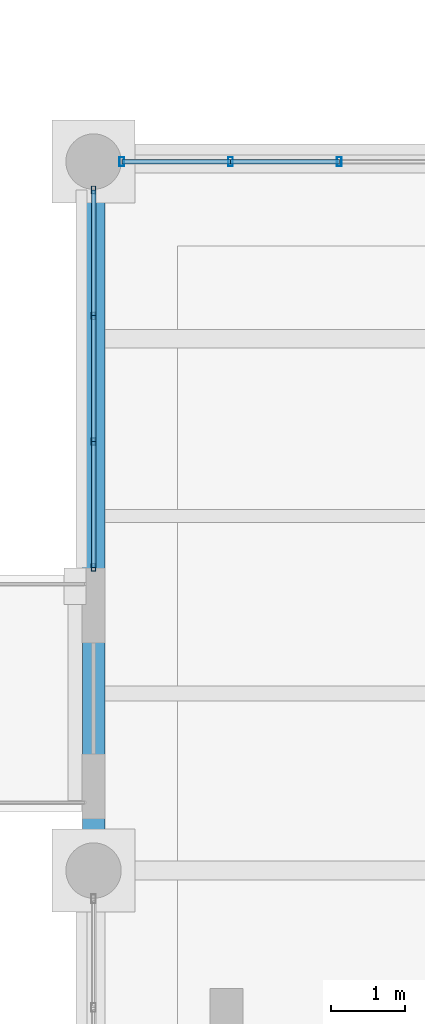
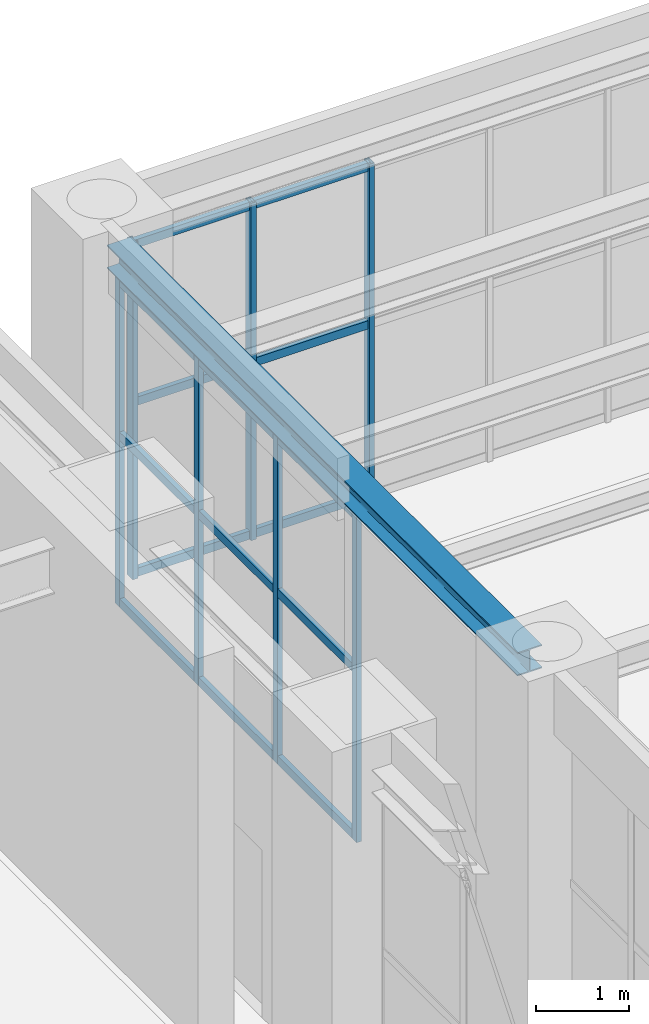
# One storey, part 64 of 174: 22 members, 1 beam, 2 elements without a shape of their own.
"""IFC4 building model written with IfcOpenShell, lengths in metres."""

import ifcopenshell
import ifcopenshell.guid

model = None  # the IFC model being written
_history = None  # IfcOwnerHistory: only IFC2X3 demands one
_inside = {}  # id of a spatial element -> (the spatial element, [elements in it])
_under = {}  # id of a project, library or spatial element -> (it, [spatial elements below it])
_declared = {}  # id of a project -> (the project, [libraries it declares])
_typed = {}  # id of a type object -> (the type object, [elements of that type])
_made_of = {}  # id of a material, layer set ... -> (it, [elements and type objects made of it])


def new_model(schema):
    """Start an empty IFC model of exactly this schema.

    Asked for "IFC4X3", IfcOpenShell would pick the latest addendum, in which some entities
    have other attributes; the version numbers below select the first issue.
    IFC2X3 requires an IfcOwnerHistory on every rooted entity: one is made here for all.
    """
    global model, _history
    if schema == "IFC4X3":
        model = ifcopenshell.file(schema_version=(4, 3, 0, 0))
    else:
        model = ifcopenshell.file(schema=schema)
    _inside.clear()
    _under.clear()
    _declared.clear()
    _typed.clear()
    _made_of.clear()
    _history = None
    if model.schema == "IFC2X3":
        org = make("IfcOrganization", Name="unknown")
        user = make(
            "IfcPersonAndOrganization",
            ThePerson=make("IfcPerson", FamilyName="unknown"),
            TheOrganization=org,
        )
        app = make(
            "IfcApplication",
            ApplicationDeveloper=org,
            Version="unknown",
            ApplicationFullName="unknown",
            ApplicationIdentifier="unknown",
        )
        _history = make(
            "IfcOwnerHistory",
            OwningUser=user,
            OwningApplication=app,
            ChangeAction="ADDED",
            CreationDate=0,
        )
    return model


def make(cls, **values):
    """One entity of the class cls with the attributes given. An attribute that is None is left unset."""
    return model.create_entity(
        cls, **{name: value for name, value in values.items() if value is not None}
    )


def rooted(cls, **values):
    """An entity with a GlobalId (a new one), such as an element, a storey or a relation."""
    return make(cls, GlobalId=ifcopenshell.guid.new(), OwnerHistory=_history, **values)


def si_unit(unit_type, name, prefix=None):
    """IfcSIUnit, for example si_unit("LENGTHUNIT", "METRE", prefix="MILLI")."""
    return make("IfcSIUnit", UnitType=unit_type, Prefix=prefix, Name=name)


def assignment(units):
    """IfcUnitAssignment: the units of a project."""
    return None if units is None else make("IfcUnitAssignment", Units=units)


def point(xyz):
    """IfcCartesianPoint."""
    return None if xyz is None else make("IfcCartesianPoint", Coordinates=xyz)


def direction(xyz):
    """IfcDirection."""
    return None if xyz is None else make("IfcDirection", DirectionRatios=xyz)


def frame(location, z_axis=None, x_axis=None):
    """IfcAxis2Placement3D, a coordinate frame: its origin and axes. An axis left out is left unset."""
    return make(
        "IfcAxis2Placement3D",
        Location=point(location),
        Axis=direction(z_axis),
        RefDirection=direction(x_axis),
    )


def frame_2d(location, x_axis=None):
    """IfcAxis2Placement2D, a coordinate frame in the plane: its origin and x axis."""
    return make(
        "IfcAxis2Placement2D", Location=point(location), RefDirection=direction(x_axis)
    )


def origin():
    """The frame at (0, 0, 0) with its axes left unset."""
    return frame((0.0, 0.0, 0.0))


def origin_2d():
    """The frame at (0, 0) in the plane with its x axis left unset."""
    return frame_2d((0.0, 0.0))


def place(relative_to, where):
    """IfcLocalPlacement: puts the frame where relative to a parent placement (None: the world)."""
    return make(
        "IfcLocalPlacement", PlacementRelTo=relative_to, RelativePlacement=where
    )


def context(
    kind, dimensions, precision=None, world=None, true_north=None, identifier=None
):
    """IfcGeometricRepresentationContext, for example the 3D "Model" context."""
    return make(
        "IfcGeometricRepresentationContext",
        ContextIdentifier=identifier,
        ContextType=kind,
        CoordinateSpaceDimension=dimensions,
        Precision=precision,
        WorldCoordinateSystem=world,
        TrueNorth=true_north,
    )


def subcontext(parent, identifier, kind, view, scale=None):
    """IfcGeometricRepresentationSubContext, for example "Body" below "Model"."""
    return make(
        "IfcGeometricRepresentationSubContext",
        ContextIdentifier=identifier,
        ContextType=kind,
        ParentContext=parent,
        TargetScale=scale,
        TargetView=view,
    )


def project(units=None, contexts=None):
    """IfcProject with its units and contexts."""
    return rooted(
        "IfcProject",
        Name="project",
        RepresentationContexts=contexts,
        UnitsInContext=assignment(units),
    )


def spatial(cls, under=None, at=None, **own):
    """A site, building, storey or space (cls), placed at a placement, below another one or the project."""
    s = rooted(cls, ObjectPlacement=at, **own)
    if under is not None:
        _under.setdefault(under.id(), (under, []))[1].append(s)
    return s


def profile(cls, at=None, kind="AREA", **sizes):
    """A parametric profile (cls). Its sizes go by their IFC names, for example OverallWidth=200.0."""
    return make(cls, ProfileType=kind, Position=at, **sizes)


def hollow_rectangle(**sizes):
    """IfcRectangleHollowProfileDef."""
    return profile("IfcRectangleHollowProfileDef", **sizes)


def i_section(**sizes):
    """IfcIShapeProfileDef."""
    return profile("IfcIShapeProfileDef", **sizes)


def extrude(swept, where, along, depth):
    """IfcExtrudedAreaSolid: the profile swept, set in the frame where, extruded along a direction by depth."""
    return make(
        "IfcExtrudedAreaSolid",
        SweptArea=swept,
        Position=where,
        ExtrudedDirection=direction(along),
        Depth=depth,
    )


def shape(context_of_items, identifier, shape_type, items):
    """IfcShapeRepresentation: the items that make up one representation, for example the "Body"."""
    return make(
        "IfcShapeRepresentation",
        ContextOfItems=context_of_items,
        RepresentationIdentifier=identifier,
        RepresentationType=shape_type,
        Items=items,
    )


def material(Name=None, Category=None):
    """IfcMaterial."""
    return make("IfcMaterial", Name=Name, Category=Category)


def material_profile(
    of_material, cross_section, Name=None, Category=None, Priority=None
):
    """IfcMaterialProfile: a cross section and its material."""
    return make(
        "IfcMaterialProfile",
        Name=Name,
        Material=of_material,
        Profile=cross_section,
        Priority=Priority,
        Category=Category,
    )


def profile_set(profiles, Name=None, composite=None):
    """IfcMaterialProfileSet."""
    return make(
        "IfcMaterialProfileSet",
        Name=Name,
        MaterialProfiles=profiles,
        CompositeProfile=composite,
    )


def made_of(thing, what):
    """Note that an element or type object is made of a material, layer set ...; save() writes the relation."""
    if what is not None:
        _made_of.setdefault(what.id(), (what, []))[1].append(thing)
    return thing


def type_object(cls, material=None, **own):
    """A type object (cls), such as IfcWallType, which elements share."""
    return made_of(rooted(cls, **own), material)


def element(
    cls,
    number,
    at=None,
    inside=None,
    cuts=None,
    type_object=None,
    material=None,
    context=None,
    identifier="Body",
    shape_type=None,
    held_by="IfcProductDefinitionShape",
    body=None,
    shapes=None,
    **own,
):
    """One element of the class cls, such as IfcWall. Its Tag is "e" and its number.

    at: its placement. inside: the storey or other place that contains it. cuts: it is an
    opening in that element (IfcRelVoidsElement). A single representation is given by context,
    identifier, shape_type and body (its items); several are given by shapes. held_by: the class
    of the entity that holds the representations. save() writes the other relations.
    """
    e = rooted(cls, Tag="e%d" % number, ObjectPlacement=at, **own)
    if body is not None:
        shapes = [shape(context, identifier, shape_type, body)]
    if shapes is not None:
        e.Representation = make(held_by, Representations=shapes)
    if inside is not None:
        _inside.setdefault(inside.id(), (inside, []))[1].append(e)
    if cuts is not None:
        rooted(
            "IfcRelVoidsElement", RelatingBuildingElement=cuts, RelatedOpeningElement=e
        )
    if type_object is not None:
        _typed.setdefault(type_object.id(), (type_object, []))[1].append(e)
    return made_of(e, material)


def aggregate(whole, parts):
    """IfcRelAggregates: a whole, such as a stair, and the parts it consists of."""
    return rooted("IfcRelAggregates", RelatingObject=whole, RelatedObjects=parts)


def save(model, path):
    """Write the relations noted so far, then the file.

    IfcRelAggregates (storeys below a building ...), IfcRelContainedInSpatialStructure (elements
    in a storey), IfcRelDefinesByType, IfcRelAssociatesMaterial and IfcRelDeclares: one each for
    every whole, place, type object, material and project.
    """
    for whole, parts in _under.values():
        aggregate(whole, parts)
    for where, things in _inside.values():
        rooted(
            "IfcRelContainedInSpatialStructure",
            RelatedElements=things,
            RelatingStructure=where,
        )
    for kind, things in _typed.values():
        rooted("IfcRelDefinesByType", RelatedObjects=things, RelatingType=kind)
    for what, things in _made_of.values():
        rooted("IfcRelAssociatesMaterial", RelatedObjects=things, RelatingMaterial=what)
    for by, libraries in _declared.values():
        rooted("IfcRelDeclares", RelatingContext=by, RelatedDefinitions=libraries)
    model.write(path)


model = new_model("IFC4")

# Units and contexts
model_context = context("Model", 3, precision=1e-05, world=origin(), true_north=direction((0.0, 1.0)))
body_context = subcontext(model_context, "Body", "Model", "MODEL_VIEW")
ifc_project = project(units=[si_unit("LENGTHUNIT", "METRE"), si_unit("AREAUNIT", "SQUARE_METRE"), si_unit("VOLUMEUNIT", "CUBIC_METRE"), si_unit("PLANEANGLEUNIT", "RADIAN"), si_unit("MASSUNIT", "GRAM", prefix="KILO")], contexts=[model_context])

# Site, building, storey
site_placement = place(None, origin())
site = spatial("IfcSite", under=ifc_project, at=site_placement, CompositionType="ELEMENT")
building_placement = place(site_placement, origin())
building = spatial("IfcBuilding", under=site, at=building_placement, Name="Mavantir Sound Aquarium", CompositionType="ELEMENT")
storey_placement = place(building_placement, frame((0.0, 0.0, 5.39990234375)))
storey = spatial("IfcBuildingStorey", under=building, at=storey_placement, Name="L01", CompositionType="ELEMENT", Elevation=5.39990234375)

# Beam
ifc_material_1 = material(Name="Structural Steel ASTM A992 Gr50", Category="steel")
ifc_material_profile_1 = material_profile(ifc_material_1, i_section(OverallWidth=0.304931640625, OverallDepth=0.30810546875, WebThickness=0.010009765625, FlangeThickness=0.015380859375, FilletRadius=0.014892578125, at=origin_2d()), Name="W310X97")
ifc_profile_set_1 = profile_set([ifc_material_profile_1], Name="Structural Steel ASTM A992 Gr50")
beam_type = type_object("IfcBeamType", Name="BM-W310X97-E", PredefinedType="SPANDREL", material=ifc_profile_set_1)
beam_placement = place(storey_placement, frame((36.0, 60.375, 4.6220703125), z_axis=(0.0, 1.0, 0.0), x_axis=(-1.0, 0.0, 0.0)))
element("IfcBeam", 1, at=beam_placement, inside=storey, type_object=beam_type, Name="L01 primary girder SS-31A 1196", PredefinedType="SPANDREL", context=body_context, shape_type="SweptSolid", body=[
    extrude(i_section(OverallWidth=0.304931640625, OverallDepth=0.30810546875, WebThickness=0.010009765625, FlangeThickness=0.015380859375, FilletRadius=0.014892578125, at=origin_2d()), origin(), (0.0, 0.0, 1.0), 8.85009765625),
])

# Curtain wall, members
ifc_material_2 = material(Name="Anodised Marine Aluminium and Low-E Glass", Category="aluminium")
curtain_wall_type_1 = type_object("IfcCurtainWallType", Name="CW-T13", PredefinedType="USERDEFINED", material=ifc_material_2)
curtain_wall_1_placement = place(storey_placement, origin())
curtain_wall_1 = element("IfcCurtainWall", 2, at=curtain_wall_1_placement, inside=storey, type_object=curtain_wall_type_1, Name="L01 unitised curtain wall CW-13 61", ObjectType="UNITISED GLAZING", PredefinedType="USERDEFINED")
ifc_material_3 = material(Name="Anodised Marine Aluminium 6063-T6", Category="aluminium")
ifc_material_profile_2 = material_profile(ifc_material_3, hollow_rectangle(XDim=0.06005859375, YDim=0.10009765625, WallThickness=0.00390625, at=origin_2d()), Name="ALU-MULLION-100X60")
ifc_profile_set_2 = profile_set([ifc_material_profile_2], Name="Anodised Marine Aluminium 6063-T6")
member_type_1 = type_object("IfcMemberType", Name="CW-MUL-100", PredefinedType="MULLION", material=ifc_profile_set_2)
member_1_placement = place(storey_placement, frame((36.0, 69.217041015625, 0.0), z_axis=(0.0, 0.0, 1.0), x_axis=(1.0, 0.0, 0.0)))
member_1 = element("IfcMember", 3, at=member_1_placement, type_object=member_type_1, Name="CW-L01-061 vertical mullion 1", PredefinedType="MULLION", context=body_context, shape_type="SweptSolid", body=[
    extrude(hollow_rectangle(XDim=0.06005859375, YDim=0.10009765625, WallThickness=0.00390625, at=origin_2d()), origin(), (0.0, 0.0, 1.0), 4.3291015625),
])
member_2_placement = place(storey_placement, frame((36.0, 67.512939453125, 0.0), z_axis=(0.0, 0.0, 1.0), x_axis=(1.0, 0.0, 0.0)))
member_2 = element("IfcMember", 4, at=member_2_placement, type_object=member_type_1, Name="CW-L01-061 vertical mullion 2", PredefinedType="MULLION", context=body_context, shape_type="SweptSolid", body=[
    extrude(hollow_rectangle(XDim=0.06005859375, YDim=0.10009765625, WallThickness=0.00390625, at=origin_2d()), origin(), (0.0, 0.0, 1.0), 4.3291015625),
])
member_3_placement = place(storey_placement, frame((36.0, 65.80908203125, 0.0), z_axis=(0.0, 0.0, 1.0), x_axis=(1.0, 0.0, 0.0)))
member_3 = element("IfcMember", 5, at=member_3_placement, type_object=member_type_1, Name="CW-L01-061 vertical mullion 3", PredefinedType="MULLION", context=body_context, shape_type="SweptSolid", body=[
    extrude(hollow_rectangle(XDim=0.06005859375, YDim=0.10009765625, WallThickness=0.00390625, at=origin_2d()), origin(), (0.0, 0.0, 1.0), 4.3291015625),
])
member_4_placement = place(storey_placement, frame((36.0, 64.10498046875, 0.0), z_axis=(0.0, 0.0, 1.0), x_axis=(1.0, 0.0, 0.0)))
member_4 = element("IfcMember", 6, at=member_4_placement, type_object=member_type_1, Name="CW-L01-061 vertical mullion 4", PredefinedType="MULLION", context=body_context, shape_type="SweptSolid", body=[
    extrude(hollow_rectangle(XDim=0.06005859375, YDim=0.10009765625, WallThickness=0.00390625, at=origin_2d()), origin(), (0.0, 0.0, 1.0), 4.3291015625),
])

curtain_wall_type_2 = type_object("IfcCurtainWallType", Name="CW-T12", PredefinedType="USERDEFINED", material=ifc_material_2)
curtain_wall_2_placement = place(storey_placement, origin())
curtain_wall_2 = element("IfcCurtainWall", 7, at=curtain_wall_2_placement, inside=storey, type_object=curtain_wall_type_2, Name="L01 unitised curtain wall CW-12 60", ObjectType="UNITISED GLAZING", PredefinedType="USERDEFINED")
ifc_material_profile_3 = material_profile(ifc_material_3, hollow_rectangle(XDim=0.06494140625, YDim=0.1201171875, WallThickness=0.00390625, at=origin_2d()), Name="ALU-MULLION-120X65")
ifc_profile_set_3 = profile_set([ifc_material_profile_3], Name="Anodised Marine Aluminium 6063-T6")
member_type_2 = type_object("IfcMemberType", Name="CW-MUL-120", PredefinedType="MULLION", material=ifc_profile_set_3)
member_5_placement = place(storey_placement, frame((39.32763671875, 69.60009765625, 0.0), z_axis=(0.0, 0.0, 1.0), x_axis=(1.0, 0.0, 0.0)))
member_5 = element("IfcMember", 8, at=member_5_placement, type_object=member_type_2, Name="CW-L01-060 vertical mullion 5", PredefinedType="MULLION", context=body_context, shape_type="SweptSolid", body=[
    extrude(hollow_rectangle(XDim=0.06494140625, YDim=0.1201171875, WallThickness=0.00390625, at=origin_2d()), origin(), (0.0, 0.0, 1.0), 4.43798828125),
])
member_6_placement = place(storey_placement, frame((37.855224609375, 69.60009765625, 0.0), z_axis=(0.0, 0.0, 1.0), x_axis=(1.0, 0.0, 0.0)))
member_6 = element("IfcMember", 9, at=member_6_placement, type_object=member_type_2, Name="CW-L01-060 vertical mullion 6", PredefinedType="MULLION", context=body_context, shape_type="SweptSolid", body=[
    extrude(hollow_rectangle(XDim=0.06494140625, YDim=0.1201171875, WallThickness=0.00390625, at=origin_2d()), origin(), (0.0, 0.0, 1.0), 4.43798828125),
])
member_7_placement = place(storey_placement, frame((36.383056640625, 69.60009765625, 0.0), z_axis=(0.0, 0.0, 1.0), x_axis=(1.0, 0.0, 0.0)))
member_7 = element("IfcMember", 10, at=member_7_placement, type_object=member_type_2, Name="CW-L01-060 vertical mullion 7", PredefinedType="MULLION", context=body_context, shape_type="SweptSolid", body=[
    extrude(hollow_rectangle(XDim=0.06494140625, YDim=0.1201171875, WallThickness=0.00390625, at=origin_2d()), origin(), (0.0, 0.0, 1.0), 4.43798828125),
])
ifc_material_profile_4 = material_profile(ifc_material_3, hollow_rectangle(XDim=0.06005859375, YDim=0.110107421875, WallThickness=0.00390625, at=origin_2d()), Name="ALU-TRANSOM-110X60")
ifc_profile_set_4 = profile_set([ifc_material_profile_4], Name="Anodised Marine Aluminium 6063-T6")
member_type_3 = type_object("IfcMemberType", Name="CW-TRN-110", PredefinedType="USERDEFINED", material=ifc_profile_set_4)
member_8_placement = place(storey_placement, frame((39.32763671875, 69.60009765625, 0.05517578125), z_axis=(-1.0, 0.0, 0.0), x_axis=(0.0, -1.0, 0.0)))
member_8 = element("IfcMember", 11, at=member_8_placement, type_object=member_type_3, Name="CW-L01-060 transom 5.1", ObjectType="TRANSOM", PredefinedType="USERDEFINED", context=body_context, shape_type="SweptSolid", body=[
    extrude(hollow_rectangle(XDim=0.06005859375, YDim=0.110107421875, WallThickness=0.00390625, at=origin_2d()), origin(), (0.0, 0.0, 1.0), 1.472412109375),
])
member_9_placement = place(storey_placement, frame((39.32763671875, 69.60009765625, 2.307861328125), z_axis=(-1.0, 0.0, 0.0), x_axis=(0.0, -1.0, 0.0)))
member_9 = element("IfcMember", 12, at=member_9_placement, type_object=member_type_3, Name="CW-L01-060 transom 5.2", ObjectType="TRANSOM", PredefinedType="USERDEFINED", context=body_context, shape_type="SweptSolid", body=[
    extrude(hollow_rectangle(XDim=0.06005859375, YDim=0.110107421875, WallThickness=0.00390625, at=origin_2d()), origin(), (0.0, 0.0, 1.0), 1.472412109375),
])
member_10_placement = place(storey_placement, frame((39.32763671875, 69.60009765625, 4.383056640625), z_axis=(-1.0, 0.0, 0.0), x_axis=(0.0, -1.0, 0.0)))
member_10 = element("IfcMember", 13, at=member_10_placement, type_object=member_type_3, Name="CW-L01-060 transom 5.3", ObjectType="TRANSOM", PredefinedType="USERDEFINED", context=body_context, shape_type="SweptSolid", body=[
    extrude(hollow_rectangle(XDim=0.06005859375, YDim=0.110107421875, WallThickness=0.00390625, at=origin_2d()), origin(), (0.0, 0.0, 1.0), 1.472412109375),
])
member_11_placement = place(storey_placement, frame((37.855224609375, 69.60009765625, 0.05517578125), z_axis=(-1.0, 0.0, 0.0), x_axis=(0.0, -1.0, 0.0)))
member_11 = element("IfcMember", 14, at=member_11_placement, type_object=member_type_3, Name="CW-L01-060 transom 6.1", ObjectType="TRANSOM", PredefinedType="USERDEFINED", context=body_context, shape_type="SweptSolid", body=[
    extrude(hollow_rectangle(XDim=0.06005859375, YDim=0.110107421875, WallThickness=0.00390625, at=origin_2d()), origin(), (0.0, 0.0, 1.0), 1.47216796875),
])
member_12_placement = place(storey_placement, frame((37.855224609375, 69.60009765625, 2.307861328125), z_axis=(-1.0, 0.0, 0.0), x_axis=(0.0, -1.0, 0.0)))
member_12 = element("IfcMember", 15, at=member_12_placement, type_object=member_type_3, Name="CW-L01-060 transom 6.2", ObjectType="TRANSOM", PredefinedType="USERDEFINED", context=body_context, shape_type="SweptSolid", body=[
    extrude(hollow_rectangle(XDim=0.06005859375, YDim=0.110107421875, WallThickness=0.00390625, at=origin_2d()), origin(), (0.0, 0.0, 1.0), 1.47216796875),
])
member_13_placement = place(storey_placement, frame((37.855224609375, 69.60009765625, 4.383056640625), z_axis=(-1.0, 0.0, 0.0), x_axis=(0.0, -1.0, 0.0)))
member_13 = element("IfcMember", 16, at=member_13_placement, type_object=member_type_3, Name="CW-L01-060 transom 6.3", ObjectType="TRANSOM", PredefinedType="USERDEFINED", context=body_context, shape_type="SweptSolid", body=[
    extrude(hollow_rectangle(XDim=0.06005859375, YDim=0.110107421875, WallThickness=0.00390625, at=origin_2d()), origin(), (0.0, 0.0, 1.0), 1.47216796875),
])
aggregate(curtain_wall_2, [member_5, member_6, member_7, member_8, member_9, member_10, member_11, member_12, member_13])

# Member
member_14_placement = place(storey_placement, frame((36.0, 69.217041015625, 0.05517578125), z_axis=(0.0, -1.0, 0.0), x_axis=(1.0, 0.0, 0.0)))
member_14 = element("IfcMember", 17, at=member_14_placement, type_object=member_type_3, Name="CW-L01-061 transom 1.1", ObjectType="TRANSOM", PredefinedType="USERDEFINED", context=body_context, shape_type="SweptSolid", body=[
    extrude(hollow_rectangle(XDim=0.06005859375, YDim=0.110107421875, WallThickness=0.00390625, at=origin_2d()), origin(), (0.0, 0.0, 1.0), 1.7041015625),
])

member_15_placement = place(storey_placement, frame((36.0, 69.217041015625, 2.251220703125), z_axis=(0.0, -1.0, 0.0), x_axis=(1.0, 0.0, 0.0)))
member_15 = element("IfcMember", 18, at=member_15_placement, type_object=member_type_3, Name="CW-L01-061 transom 1.2", ObjectType="TRANSOM", PredefinedType="USERDEFINED", context=body_context, shape_type="SweptSolid", body=[
    extrude(hollow_rectangle(XDim=0.06005859375, YDim=0.110107421875, WallThickness=0.00390625, at=origin_2d()), origin(), (0.0, 0.0, 1.0), 1.7041015625),
])

member_16_placement = place(storey_placement, frame((36.0, 69.217041015625, 4.274169921875), z_axis=(0.0, -1.0, 0.0), x_axis=(1.0, 0.0, 0.0)))
member_16 = element("IfcMember", 19, at=member_16_placement, type_object=member_type_3, Name="CW-L01-061 transom 1.3", ObjectType="TRANSOM", PredefinedType="USERDEFINED", context=body_context, shape_type="SweptSolid", body=[
    extrude(hollow_rectangle(XDim=0.06005859375, YDim=0.110107421875, WallThickness=0.00390625, at=origin_2d()), origin(), (0.0, 0.0, 1.0), 1.7041015625),
])

member_17_placement = place(storey_placement, frame((36.0, 67.512939453125, 0.05517578125), z_axis=(0.0, -1.0, 0.0), x_axis=(1.0, 0.0, 0.0)))
member_17 = element("IfcMember", 20, at=member_17_placement, type_object=member_type_3, Name="CW-L01-061 transom 2.1", ObjectType="TRANSOM", PredefinedType="USERDEFINED", context=body_context, shape_type="SweptSolid", body=[
    extrude(hollow_rectangle(XDim=0.06005859375, YDim=0.110107421875, WallThickness=0.00390625, at=origin_2d()), origin(), (0.0, 0.0, 1.0), 1.703857421875),
])

member_18_placement = place(storey_placement, frame((36.0, 67.512939453125, 2.251220703125), z_axis=(0.0, -1.0, 0.0), x_axis=(1.0, 0.0, 0.0)))
member_18 = element("IfcMember", 21, at=member_18_placement, type_object=member_type_3, Name="CW-L01-061 transom 2.2", ObjectType="TRANSOM", PredefinedType="USERDEFINED", context=body_context, shape_type="SweptSolid", body=[
    extrude(hollow_rectangle(XDim=0.06005859375, YDim=0.110107421875, WallThickness=0.00390625, at=origin_2d()), origin(), (0.0, 0.0, 1.0), 1.703857421875),
])

member_19_placement = place(storey_placement, frame((36.0, 67.512939453125, 4.274169921875), z_axis=(0.0, -1.0, 0.0), x_axis=(1.0, 0.0, 0.0)))
member_19 = element("IfcMember", 22, at=member_19_placement, type_object=member_type_3, Name="CW-L01-061 transom 2.3", ObjectType="TRANSOM", PredefinedType="USERDEFINED", context=body_context, shape_type="SweptSolid", body=[
    extrude(hollow_rectangle(XDim=0.06005859375, YDim=0.110107421875, WallThickness=0.00390625, at=origin_2d()), origin(), (0.0, 0.0, 1.0), 1.703857421875),
])

member_20_placement = place(storey_placement, frame((36.0, 65.80908203125, 0.05517578125), z_axis=(0.0, -1.0, 0.0), x_axis=(1.0, 0.0, 0.0)))
member_20 = element("IfcMember", 23, at=member_20_placement, type_object=member_type_3, Name="CW-L01-061 transom 3.1", ObjectType="TRANSOM", PredefinedType="USERDEFINED", context=body_context, shape_type="SweptSolid", body=[
    extrude(hollow_rectangle(XDim=0.06005859375, YDim=0.110107421875, WallThickness=0.00390625, at=origin_2d()), origin(), (0.0, 0.0, 1.0), 1.7041015625),
])

member_21_placement = place(storey_placement, frame((36.0, 65.80908203125, 2.251220703125), z_axis=(0.0, -1.0, 0.0), x_axis=(1.0, 0.0, 0.0)))
member_21 = element("IfcMember", 24, at=member_21_placement, type_object=member_type_3, Name="CW-L01-061 transom 3.2", ObjectType="TRANSOM", PredefinedType="USERDEFINED", context=body_context, shape_type="SweptSolid", body=[
    extrude(hollow_rectangle(XDim=0.06005859375, YDim=0.110107421875, WallThickness=0.00390625, at=origin_2d()), origin(), (0.0, 0.0, 1.0), 1.7041015625),
])

member_22_placement = place(storey_placement, frame((36.0, 65.80908203125, 4.274169921875), z_axis=(0.0, -1.0, 0.0), x_axis=(1.0, 0.0, 0.0)))
member_22 = element("IfcMember", 25, at=member_22_placement, type_object=member_type_3, Name="CW-L01-061 transom 3.3", ObjectType="TRANSOM", PredefinedType="USERDEFINED", context=body_context, shape_type="SweptSolid", body=[
    extrude(hollow_rectangle(XDim=0.06005859375, YDim=0.110107421875, WallThickness=0.00390625, at=origin_2d()), origin(), (0.0, 0.0, 1.0), 1.7041015625),
])

aggregate(curtain_wall_1, [member_1, member_2, member_3, member_4, member_14, member_15, member_16, member_17, member_18, member_19, member_20, member_21, member_22])

save(model, "model.ifc")
